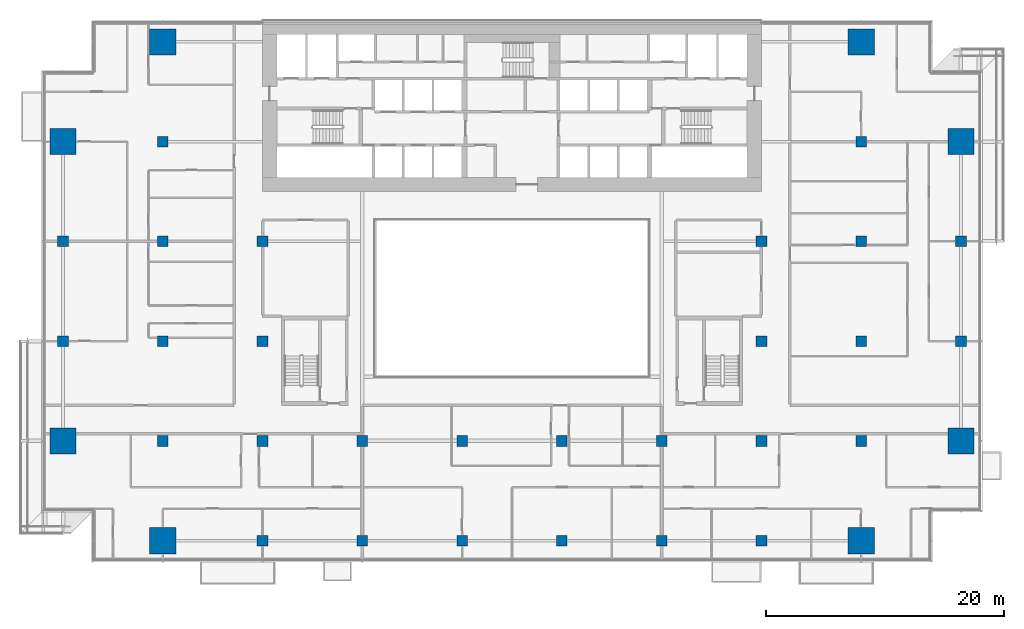
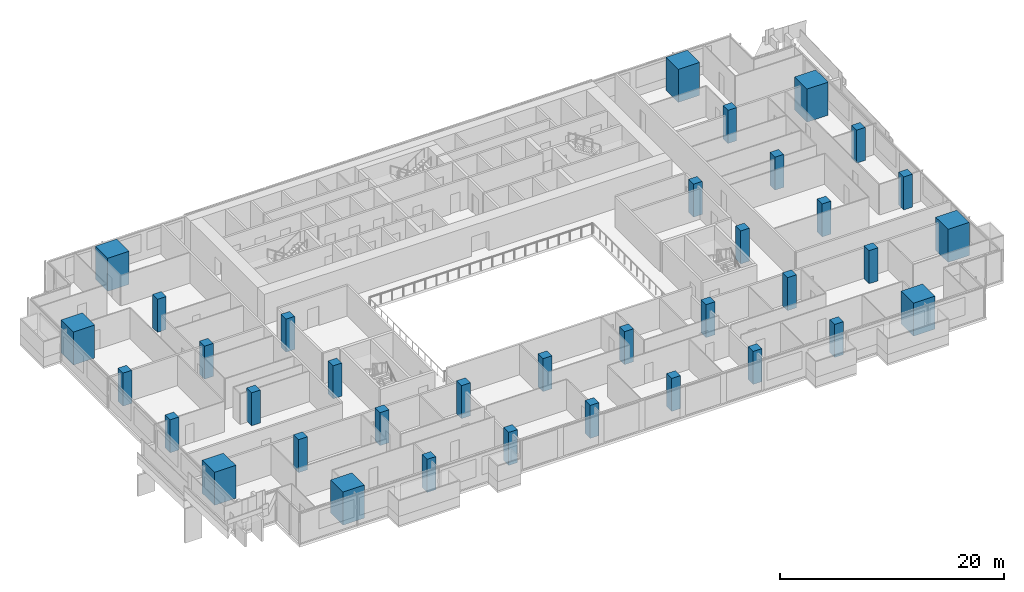
# One storey, part 1 of 29: 36 columns.
"""IFC4 building model written with IfcOpenShell, lengths in metres."""

from ifc_helpers import new_model, si_unit, direction, frame, origin, origin_2d, place, context, subcontext, project, spatial, rectangle, extrude, material, material_profile, profile_set, type_object, element, save


model = new_model("IFC4")

# Units and contexts
model_context = context("Model", 3, precision=1e-05, world=origin(), true_north=direction((0.0, 1.0)))
body_context = subcontext(model_context, "Body", "Model", "MODEL_VIEW")
ifc_project = project(units=[si_unit("LENGTHUNIT", "METRE"), si_unit("AREAUNIT", "SQUARE_METRE"), si_unit("VOLUMEUNIT", "CUBIC_METRE"), si_unit("PLANEANGLEUNIT", "RADIAN"), si_unit("MASSUNIT", "GRAM", prefix="KILO")], contexts=[model_context])

# Site, building, storey
site_placement = place(None, origin())
site = spatial("IfcSite", under=ifc_project, at=site_placement, CompositionType="ELEMENT")
building_placement = place(site_placement, origin())
building = spatial("IfcBuilding", under=site, at=building_placement, Name="Saffron Gate Tower", CompositionType="ELEMENT")
storey_placement = place(building_placement, frame((0.0, 0.0, 55.199951171875)))
storey = spatial("IfcBuildingStorey", under=building, at=storey_placement, Name="L12", CompositionType="ELEMENT", Elevation=55.199951171875)

# Columns
ifc_material_1 = material(Name="Concrete C60", Category="concrete")
ifc_material_profile_1 = material_profile(ifc_material_1, rectangle(XDim=0.89990234375, YDim=0.89990234375, at=origin_2d()))
ifc_profile_set_1 = profile_set([ifc_material_profile_1], Name="Concrete C60")
column_type_1 = type_object("IfcColumnType", Name="C6 RC 900x900 CONCRETE C60", PredefinedType="COLUMN", material=ifc_profile_set_1)
for number, where, z_axis, x_axis, name in (
    (1, (49.800048828125, 48.60009765625, 0.0), (0.0, 0.0, 1.0), (1.0, 0.0, 0.0), "C6 COLUMN X1-C"),
    (2, (49.800048828125, 57.0, 0.0), (0.0, 0.0, 1.0), (1.0, 0.0, 0.0), "C6 COLUMN X1-D"),
    (3, (58.199951171875, 40.199951171875, 0.0), (0.0, 0.0, 1.0), (1.0, 0.0, 0.0), "C6 COLUMN X2-B"),
    (4, (58.199951171875, 48.60009765625, 0.0), (0.0, 0.0, 1.0), (1.0, 0.0, 0.0), "C6 COLUMN X2-C"),
    (5, (58.199951171875, 57.0, 0.0), (0.0, 0.0, 1.0), (1.0, 0.0, 0.0), "C6 COLUMN X2-D"),
    (6, (58.199951171875, 65.39990234375, 0.0), (0.0, 0.0, 1.0), (1.0, 0.0, 0.0), "C6 COLUMN X2-E"),
    (7, (66.60009765625, 31.800048828125, 0.0), (0.0, 0.0, 1.0), (1.0, 0.0, 0.0), "C6 COLUMN X3-A"),
    (8, (66.60009765625, 40.199951171875, 0.0), (0.0, 0.0, 1.0), (1.0, 0.0, 0.0), "C6 COLUMN X3-B"),
    (9, (66.60009765625, 48.60009765625, 0.0), (0.0, 0.0, 1.0), (1.0, 0.0, 0.0), "C6 COLUMN X3-C"),
    (10, (66.60009765625, 57.0, 0.0), (0.0, 0.0, 1.0), (1.0, 0.0, 0.0), "C6 COLUMN X3-D"),
    (11, (75.0, 31.800048828125, 0.0), (0.0, 0.0, 1.0), (1.0, 0.0, 0.0), "C6 COLUMN X4-A"),
    (12, (75.0, 40.199951171875, 0.0), (0.0, 0.0, 1.0), (1.0, 0.0, 0.0), "C6 COLUMN X4-B"),
    (13, (83.39990234375, 31.800048828125, 0.0), (0.0, 0.0, 1.0), (1.0, 0.0, 0.0), "C6 COLUMN X5-A"),
    (14, (83.39990234375, 40.199951171875, 0.0), (0.0, 0.0, 1.0), (1.0, 0.0, 0.0), "C6 COLUMN X5-B"),
    (15, (91.800048828125, 31.800048828125, 0.0), (0.0, 0.0, 1.0), (1.0, 0.0, 0.0), "C6 COLUMN X6-A"),
    (16, (91.800048828125, 40.199951171875, 0.0), (0.0, 0.0, 1.0), (1.0, 0.0, 0.0), "C6 COLUMN X6-B"),
    (17, (100.199951171875, 31.800048828125, 0.0), (0.0, 0.0, 1.0), (1.0, 0.0, 0.0), "C6 COLUMN X7-A"),
    (18, (100.199951171875, 40.199951171875, 0.0), (0.0, 0.0, 1.0), (1.0, 0.0, 0.0), "C6 COLUMN X7-B"),
    (19, (108.60009765625, 31.800048828125, 0.0), (0.0, 0.0, 1.0), (1.0, 0.0, 0.0), "C6 COLUMN X8-A"),
    (20, (108.60009765625, 40.199951171875, 0.0), (0.0, 0.0, 1.0), (1.0, 0.0, 0.0), "C6 COLUMN X8-B"),
    (21, (108.60009765625, 48.60009765625, 0.0), (0.0, 0.0, 1.0), (1.0, 0.0, 0.0), "C6 COLUMN X8-C"),
    (22, (108.60009765625, 57.0, 0.0), (0.0, 0.0, 1.0), (1.0, 0.0, 0.0), "C6 COLUMN X8-D"),
    (23, (117.0, 40.199951171875, 0.0), (0.0, 0.0, 1.0), (1.0, 0.0, 0.0), "C6 COLUMN X9-B"),
    (24, (117.0, 48.60009765625, 0.0), (0.0, 0.0, 1.0), (1.0, 0.0, 0.0), "C6 COLUMN X9-C"),
    (25, (117.0, 57.0, 0.0), (0.0, 0.0, 1.0), (1.0, 0.0, 0.0), "C6 COLUMN X9-D"),
    (26, (117.0, 65.39990234375, 0.0), (0.0, 0.0, 1.0), (1.0, 0.0, 0.0), "C6 COLUMN X9-E"),
    (27, (125.39990234375, 48.60009765625, 0.0), (0.0, 0.0, 1.0), (1.0, 0.0, 0.0), "C6 COLUMN X10-C"),
    (28, (125.39990234375, 57.0, 0.0), (0.0, 0.0, 1.0), (1.0, 0.0, 0.0), "C6 COLUMN X10-D"),
):
    element("IfcColumn", number, at=place(storey_placement, frame(where, z_axis=z_axis, x_axis=x_axis)), inside=storey, type_object=column_type_1, Name=name, PredefinedType="COLUMN", context=body_context, shape_type="SweptSolid", body=[
        extrude(rectangle(XDim=0.89990234375, YDim=0.89990234375, at=origin_2d()), origin(), (0.0, 0.0, 1.0), 3.60009765625),
    ])
ifc_material_2 = material(Name="Concrete C80", Category="concrete")
ifc_material_profile_2 = material_profile(ifc_material_2, rectangle(XDim=2.199951171875, YDim=2.199951171875, at=origin_2d()))
ifc_profile_set_2 = profile_set([ifc_material_profile_2], Name="Concrete C80")
column_type_2 = type_object("IfcColumnType", Name="MC4 RC 2200x2200 CONCRETE C80", PredefinedType="COLUMN", material=ifc_profile_set_2)
for number, where, z_axis, x_axis, name in (
    (29, (49.800048828125, 40.199951171875, 0.0), (0.0, 0.0, 1.0), (1.0, 0.0, 0.0), "MC4 MEGA COLUMN X1-B"),
    (30, (49.800048828125, 65.39990234375, 0.0), (0.0, 0.0, 1.0), (1.0, 0.0, 0.0), "MC4 MEGA COLUMN X1-E"),
    (31, (58.199951171875, 31.800048828125, 0.0), (0.0, 0.0, 1.0), (1.0, 0.0, 0.0), "MC4 MEGA COLUMN X2-A"),
    (32, (58.199951171875, 73.800048828125, 0.0), (0.0, 0.0, 1.0), (1.0, 0.0, 0.0), "MC4 MEGA COLUMN X2-F"),
    (33, (117.0, 31.800048828125, 0.0), (0.0, 0.0, 1.0), (1.0, 0.0, 0.0), "MC4 MEGA COLUMN X9-A"),
    (34, (117.0, 73.800048828125, 0.0), (0.0, 0.0, 1.0), (1.0, 0.0, 0.0), "MC4 MEGA COLUMN X9-F"),
    (35, (125.39990234375, 40.199951171875, 0.0), (0.0, 0.0, 1.0), (1.0, 0.0, 0.0), "MC4 MEGA COLUMN X10-B"),
    (36, (125.39990234375, 65.39990234375, 0.0), (0.0, 0.0, 1.0), (1.0, 0.0, 0.0), "MC4 MEGA COLUMN X10-E"),
):
    element("IfcColumn", number, at=place(storey_placement, frame(where, z_axis=z_axis, x_axis=x_axis)), inside=storey, type_object=column_type_2, Name=name, PredefinedType="COLUMN", context=body_context, shape_type="SweptSolid", body=[
        extrude(rectangle(XDim=2.199951171875, YDim=2.199951171875, at=origin_2d()), origin(), (0.0, 0.0, 1.0), 3.60009765625),
    ])

save(model, "model.ifc")
